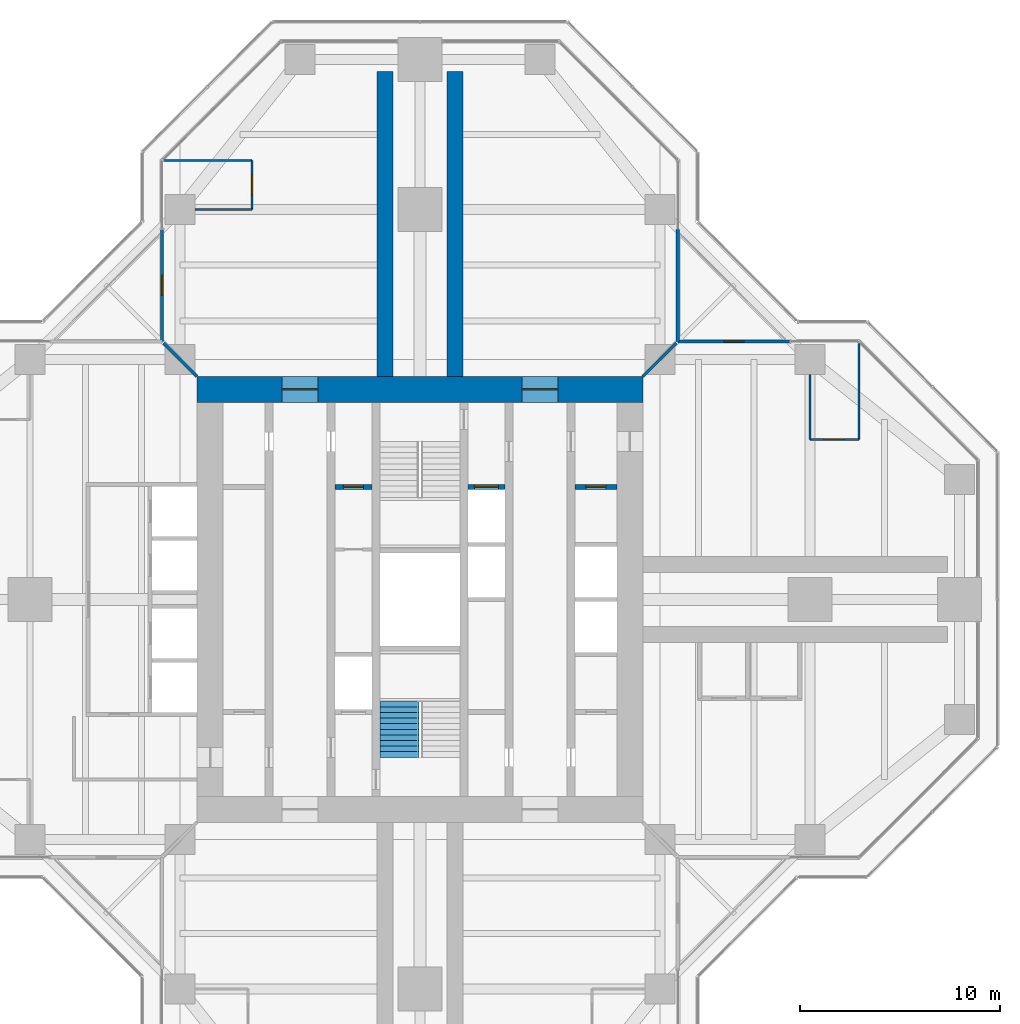
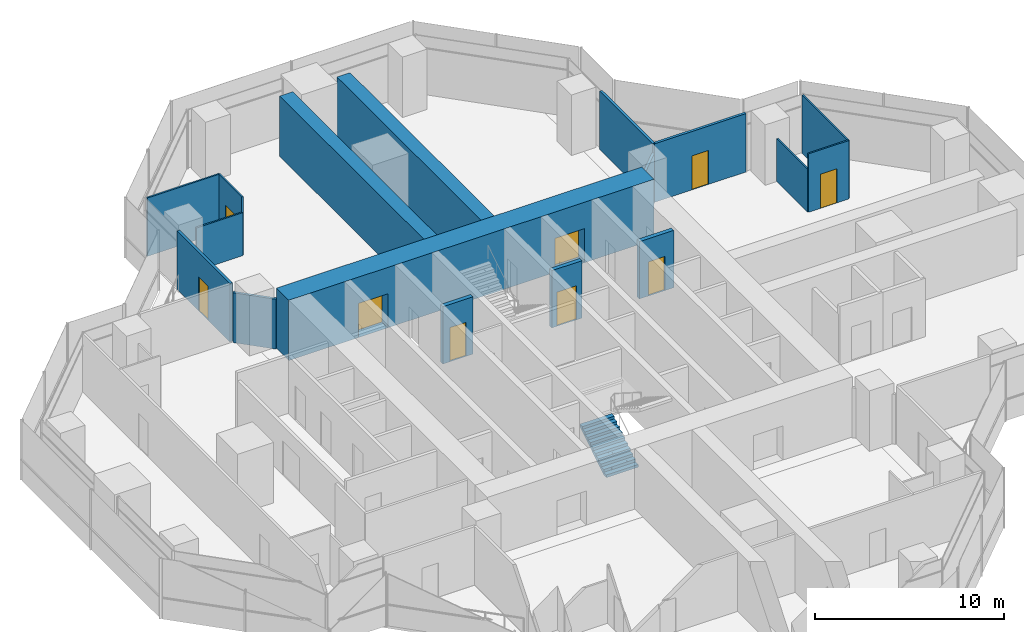
# One storey, part 15 of 17: 17 walls, 9 doors, 1 stair flight, 9 openings, 1 element without a shape of its own.
"""IFC4 building model written with IfcOpenShell, lengths in metres."""

from ifc_helpers import new_model, si_unit, direction, frame, frame_2d, origin, place, context, subcontext, project, spatial, polyline, rectangle, outline, extrude, material, layer, layer_set, type_object, element, fill, aggregate, save


model = new_model("IFC4")

# Units and contexts
model_context = context("Model", 3, precision=1e-05, world=origin(), true_north=direction((0.0, 1.0)))
body_context = subcontext(model_context, "Body", "Model", "MODEL_VIEW")
ifc_project = project(units=[si_unit("LENGTHUNIT", "METRE"), si_unit("AREAUNIT", "SQUARE_METRE"), si_unit("VOLUMEUNIT", "CUBIC_METRE"), si_unit("PLANEANGLEUNIT", "RADIAN"), si_unit("MASSUNIT", "GRAM", prefix="KILO")], contexts=[model_context])

# Site, building, storey
site_placement = place(None, origin())
site = spatial("IfcSite", under=ifc_project, at=site_placement, CompositionType="ELEMENT")
building_placement = place(site_placement, origin())
building = spatial("IfcBuilding", under=site, at=building_placement, Name="Mizan Broadcast Tower", CompositionType="ELEMENT")
storey_placement = place(building_placement, frame((0.0, 0.0, 243.89990234375)))
storey = spatial("IfcBuildingStorey", under=building, at=storey_placement, Name="L57", CompositionType="ELEMENT", Elevation=243.89990234375)

# Wall, openings, doors
ifc_material_1 = material(Name="Concrete C70/85", Category="concrete")
ifc_layer_1 = layer(ifc_material_1, 1.300048828125)
ifc_layer_set_1 = layer_set([ifc_layer_1], Name="Concrete C70/85")
wall_type_1 = type_object("IfcWallType", Name="CORE WALL 1300", PredefinedType="SHEAR", material=ifc_layer_set_1)
wall_1_placement = place(storey_placement, frame((-11.14990234375, 10.5, 0.0), z_axis=(0.0, 0.0, 1.0), x_axis=(1.0, 0.0, 0.0)))
wall_1 = element("IfcWall", 1, at=wall_1_placement, inside=storey, type_object=wall_type_1, Name="Core wall N L57", PredefinedType="SHEAR", context=body_context, shape_type="SweptSolid", body=[
    extrude(rectangle(XDim=22.2998046875, YDim=1.300048828125, at=frame_2d((11.14990234375, 0.0))), origin(), (0.0, 0.0, 1.0), 3.900146484375),
])
opening_1_placement = place(wall_1_placement, frame((4.25, 0.0, 0.0)))
opening_1 = element("IfcOpeningElement", 2, at=opening_1_placement, cuts=wall_1, Name="Opening D18F", PredefinedType="OPENING", context=body_context, shape_type="SweptSolid", body=[
    extrude(rectangle(XDim=1.800048828125, YDim=2.199951171875, at=frame_2d((0.89990234375, 1.10009765625))), frame((0.0, 0.659912109375, 0.0), z_axis=(0.0, -1.0, 0.0), x_axis=(1.0, 0.0, 0.0)), (0.0, 0.0, 1.0), 1.320068359375),
])
opening_2_placement = place(wall_1_placement, frame((16.25, 0.0, 0.0)))
opening_2 = element("IfcOpeningElement", 3, at=opening_2_placement, cuts=wall_1, Name="Opening D18F", PredefinedType="OPENING", context=body_context, shape_type="SweptSolid", body=[
    extrude(rectangle(XDim=1.800048828125, YDim=2.199951171875, at=frame_2d((0.89990234375, 1.10009765625))), frame((0.0, 0.659912109375, 0.0), z_axis=(0.0, -1.0, 0.0), x_axis=(1.0, 0.0, 0.0)), (0.0, 0.0, 1.0), 1.320068359375),
])
ifc_material_2 = material(Name="Steel door leaf in steel frame", Category="steel")
door_type_1 = type_object("IfcDoorType", Name="LOBBY DOUBLE DOOR 1800 FD90", OperationType="DOUBLE_DOOR_DOUBLE_SWING", PredefinedType="DOOR", material=ifc_material_2)
door_1_placement = place(opening_1_placement, origin())
door_1 = element("IfcDoor", 4, at=door_1_placement, inside=storey, type_object=door_type_1, Name="West lift lobby north door", OperationType="DOUBLE_DOOR_DOUBLE_SWING", OverallHeight=2.199951171875, OverallWidth=1.800048828125, PredefinedType="DOOR", context=body_context, shape_type="SweptSolid", body=[
    extrude(rectangle(XDim=1.800048828125, YDim=2.199951171875, at=frame_2d((0.89990234375, 1.10009765625))), frame((0.0, 0.02490234375, 0.0), z_axis=(0.0, -1.0, 0.0), x_axis=(1.0, 0.0, 0.0)), (0.0, 0.0, 1.0), 0.050048828125),
])
fill(opening_1, door_1)
door_2_placement = place(opening_2_placement, origin())
door_2 = element("IfcDoor", 5, at=door_2_placement, inside=storey, type_object=door_type_1, Name="East lift lobby north door", OperationType="DOUBLE_DOOR_DOUBLE_SWING", OverallHeight=2.199951171875, OverallWidth=1.800048828125, PredefinedType="DOOR", context=body_context, shape_type="SweptSolid", body=[
    extrude(rectangle(XDim=1.800048828125, YDim=2.199951171875, at=frame_2d((0.89990234375, 1.10009765625))), frame((0.0, 0.02490234375, 0.0), z_axis=(0.0, -1.0, 0.0), x_axis=(1.0, 0.0, 0.0)), (0.0, 0.0, 1.0), 0.050048828125),
])
fill(opening_2, door_2)

# Wall, opening, door
ifc_material_3 = material(Name="Aluminium framed glazed screen", Category="aluminium")
ifc_layer_2 = layer(ifc_material_3, 0.159912109375)
ifc_layer_set_2 = layer_set([ifc_layer_2], Name="Aluminium framed glazed screen")
wall_type_2 = type_object("IfcWallType", Name="GLAZED SCREEN WALL 160", PredefinedType="SOLIDWALL", material=ifc_layer_set_2)
wall_2_placement = place(storey_placement, frame((18.5, 12.89990234375, 0.0), z_axis=(0.0, 0.0, 1.0), x_axis=(-1.0, 0.0, 0.0)))
wall_2 = element("IfcWall", 6, at=wall_2_placement, inside=storey, type_object=wall_type_2, Name="Winter garden screen L57 E", PredefinedType="SOLIDWALL", context=body_context, shape_type="SweptSolid", body=[
    extrude(rectangle(XDim=5.60009765625, YDim=0.159912109375, at=frame_2d((2.800048828125, 0.0))), origin(), (0.0, 0.0, 1.0), 3.77001953125),
])
opening_3_placement = place(wall_2_placement, frame((2.300048828125, 0.0, 0.0)))
opening_3 = element("IfcOpeningElement", 7, at=opening_3_placement, cuts=wall_2, Name="Opening WGD", PredefinedType="OPENING", context=body_context, shape_type="SweptSolid", body=[
    extrude(rectangle(XDim=1.0, YDim=2.199951171875, at=frame_2d((0.5, 1.10009765625))), frame((0.0, 0.08984375, 0.0), z_axis=(0.0, -1.0, 0.0), x_axis=(1.0, 0.0, 0.0)), (0.0, 0.0, 1.0), 0.179931640625),
])
ifc_material_4 = material(Name="Aluminium framed glazed door", Category="aluminium")
door_type_2 = type_object("IfcDoorType", Name="WINTER GARDEN DOOR 1000 GLAZED", OperationType="SINGLE_SWING_LEFT", PredefinedType="DOOR", material=ifc_material_4)
door_3_placement = place(opening_3_placement, origin())
door_3 = element("IfcDoor", 8, at=door_3_placement, inside=storey, type_object=door_type_2, Name="Winter garden door L57 E", OperationType="SINGLE_SWING_RIGHT", OverallHeight=2.199951171875, OverallWidth=1.0, PredefinedType="DOOR", context=body_context, shape_type="SweptSolid", body=[
    extrude(rectangle(XDim=1.0, YDim=2.199951171875, at=frame_2d((0.5, 1.10009765625))), frame((0.0, 0.02490234375, 0.0), z_axis=(0.0, -1.0, 0.0), x_axis=(1.0, 0.0, 0.0)), (0.0, 0.0, 1.0), 0.050048828125),
])
fill(opening_3, door_3)

# Wall
wall_3_placement = place(storey_placement, frame((12.89990234375, 12.89990234375, 0.0), z_axis=(0.0, 0.0, 1.0), x_axis=(0.0, 1.0, 0.0)))
element("IfcWall", 9, at=wall_3_placement, inside=storey, type_object=wall_type_2, Name="Winter garden screen L57 N", PredefinedType="SOLIDWALL", context=body_context, shape_type="SweptSolid", body=[
    extrude(rectangle(XDim=5.60009765625, YDim=0.159912109375, at=frame_2d((2.800048828125, 0.0))), origin(), (0.0, 0.0, 1.0), 3.77001953125),
])

# Wall, opening, door
wall_4_placement = place(storey_placement, frame((-12.89990234375, 18.5, 0.0), z_axis=(0.0, 0.0, 1.0), x_axis=(0.0, -1.0, 0.0)))
wall_4 = element("IfcWall", 10, at=wall_4_placement, inside=storey, type_object=wall_type_2, Name="Winter garden screen L57 N", PredefinedType="SOLIDWALL", context=body_context, shape_type="SweptSolid", body=[
    extrude(rectangle(XDim=5.60009765625, YDim=0.159912109375, at=frame_2d((2.800048828125, 0.0))), origin(), (0.0, 0.0, 1.0), 3.77001953125),
])
opening_4_placement = place(wall_4_placement, frame((2.300048828125, 0.0, 0.0)))
opening_4 = element("IfcOpeningElement", 11, at=opening_4_placement, cuts=wall_4, Name="Opening WGD", PredefinedType="OPENING", context=body_context, shape_type="SweptSolid", body=[
    extrude(rectangle(XDim=1.0, YDim=2.199951171875, at=frame_2d((0.5, 1.10009765625))), frame((0.0, 0.08984375, 0.0), z_axis=(0.0, -1.0, 0.0), x_axis=(1.0, 0.0, 0.0)), (0.0, 0.0, 1.0), 0.179931640625),
])
door_4_placement = place(opening_4_placement, origin())
door_4 = element("IfcDoor", 12, at=door_4_placement, inside=storey, type_object=door_type_2, Name="Winter garden door L57 N", OperationType="SINGLE_SWING_RIGHT", OverallHeight=2.199951171875, OverallWidth=1.0, PredefinedType="DOOR", context=body_context, shape_type="SweptSolid", body=[
    extrude(rectangle(XDim=1.0, YDim=2.199951171875, at=frame_2d((0.5, 1.10009765625))), frame((0.0, 0.02490234375, 0.0), z_axis=(0.0, -1.0, 0.0), x_axis=(1.0, 0.0, 0.0)), (0.0, 0.0, 1.0), 0.050048828125),
])
fill(opening_4, door_4)

ifc_material_5 = material(Name="Concrete blockwork", Category="masonry")
ifc_layer_3 = layer(ifc_material_5, 0.25)
ifc_layer_set_3 = layer_set([ifc_layer_3], Name="Concrete blockwork")
wall_type_3 = type_object("IfcWallType", Name="LOBBY ENCLOSURE WALL 250", PredefinedType="SOLIDWALL", material=ifc_layer_set_3)
wall_5_placement = place(storey_placement, frame((-4.25, 5.625, 0.0), z_axis=(0.0, 0.0, 1.0), x_axis=(1.0, 0.0, 0.0)))
wall_5 = element("IfcWall", 13, at=wall_5_placement, inside=storey, type_object=wall_type_3, Name="Lobby enclosure wall CORE/BW2N", PredefinedType="SOLIDWALL", context=body_context, shape_type="SweptSolid", body=[
    extrude(rectangle(XDim=1.85009765625, YDim=0.25, at=frame_2d((0.925048828125, 0.0))), origin(), (0.0, 0.0, 1.0), 3.7001953125),
])
opening_5_placement = place(wall_5_placement, frame((0.425048828125, 0.0, 0.0)))
opening_5 = element("IfcOpeningElement", 14, at=opening_5_placement, cuts=wall_5, Name="Opening D10F", PredefinedType="OPENING", context=body_context, shape_type="SweptSolid", body=[
    extrude(rectangle(XDim=1.0, YDim=2.199951171875, at=frame_2d((0.5, 1.10009765625))), frame((0.0, 0.135009765625, 0.0), z_axis=(0.0, -1.0, 0.0), x_axis=(1.0, 0.0, 0.0)), (0.0, 0.0, 1.0), 0.27001953125),
])
ifc_material_6 = material(Name="Steel door leaf in steel frame", Category="steel")
door_type_3 = type_object("IfcDoorType", Name="FIRE DOOR 1000 FD90", OperationType="SINGLE_SWING_LEFT", PredefinedType="DOOR", material=ifc_material_6)
door_5_placement = place(opening_5_placement, origin())
door_5 = element("IfcDoor", 15, at=door_5_placement, inside=storey, type_object=door_type_3, Name="Accessible changing room door", OperationType="SINGLE_SWING_RIGHT", OverallHeight=2.199951171875, OverallWidth=1.0, PredefinedType="DOOR", context=body_context, shape_type="SweptSolid", body=[
    extrude(rectangle(XDim=1.0, YDim=2.199951171875, at=frame_2d((0.5, 1.10009765625))), frame((0.0, 0.02490234375, 0.0), z_axis=(0.0, -1.0, 0.0), x_axis=(1.0, 0.0, 0.0)), (0.0, 0.0, 1.0), 0.050048828125),
])
fill(opening_5, door_5)

wall_6_placement = place(storey_placement, frame((2.39990234375, 5.625, 0.0), z_axis=(0.0, 0.0, 1.0), x_axis=(1.0, 0.0, 0.0)))
wall_6 = element("IfcWall", 16, at=wall_6_placement, inside=storey, type_object=wall_type_3, Name="Lobby enclosure wall CORE/BE2N", PredefinedType="SOLIDWALL", context=body_context, shape_type="SweptSolid", body=[
    extrude(rectangle(XDim=1.85009765625, YDim=0.25, at=frame_2d((0.925048828125, 0.0))), origin(), (0.0, 0.0, 1.0), 3.7001953125),
])
opening_6_placement = place(wall_6_placement, frame((0.324951171875, 0.0, 0.0)))
opening_6 = element("IfcOpeningElement", 17, at=opening_6_placement, cuts=wall_6, Name="Opening LDF", PredefinedType="OPENING", context=body_context, shape_type="SweptSolid", body=[
    extrude(rectangle(XDim=1.199951171875, YDim=2.199951171875, at=frame_2d((0.60009765625, 1.10009765625))), frame((0.0, 0.135009765625, 0.0), z_axis=(0.0, -1.0, 0.0), x_axis=(1.0, 0.0, 0.0)), (0.0, 0.0, 1.0), 0.27001953125),
])
ifc_material_7 = material(Name="Steel door leaf in steel frame", Category="steel")
door_type_4 = type_object("IfcDoorType", Name="FIREFIGHTING LIFT LANDING DOOR 1200", OperationType="SLIDING_TO_LEFT", PredefinedType="DOOR", material=ifc_material_7)
door_6_placement = place(opening_6_placement, origin())
door_6 = element("IfcDoor", 18, at=door_6_placement, inside=storey, type_object=door_type_4, Name="Landing door FF2", OperationType="SLIDING_TO_LEFT", OverallHeight=2.199951171875, OverallWidth=1.199951171875, PredefinedType="DOOR", context=body_context, shape_type="SweptSolid", body=[
    extrude(rectangle(XDim=1.199951171875, YDim=2.199951171875, at=frame_2d((0.60009765625, 1.10009765625))), frame((0.0, 0.02490234375, 0.0), z_axis=(0.0, -1.0, 0.0), x_axis=(1.0, 0.0, 0.0)), (0.0, 0.0, 1.0), 0.050048828125),
])
fill(opening_6, door_6)

wall_7_placement = place(storey_placement, frame((7.75, 5.625, 0.0), z_axis=(0.0, 0.0, 1.0), x_axis=(1.0, 0.0, 0.0)))
wall_7 = element("IfcWall", 19, at=wall_7_placement, inside=storey, type_object=wall_type_3, Name="Lobby enclosure wall CORE/BE1N", PredefinedType="SOLIDWALL", context=body_context, shape_type="SweptSolid", body=[
    extrude(rectangle(XDim=2.10009765625, YDim=0.25, at=frame_2d((1.050048828125, 0.0))), origin(), (0.0, 0.0, 1.0), 3.7001953125),
])
opening_7_placement = place(wall_7_placement, frame((0.550048828125, 0.0, 0.0)))
opening_7 = element("IfcOpeningElement", 20, at=opening_7_placement, cuts=wall_7, Name="Opening D10F", PredefinedType="OPENING", context=body_context, shape_type="SweptSolid", body=[
    extrude(rectangle(XDim=1.0, YDim=2.199951171875, at=frame_2d((0.5, 1.10009765625))), frame((0.0, 0.135009765625, 0.0), z_axis=(0.0, -1.0, 0.0), x_axis=(1.0, 0.0, 0.0)), (0.0, 0.0, 1.0), 0.27001953125),
])
door_7_placement = place(opening_7_placement, origin())
door_7 = element("IfcDoor", 21, at=door_7_placement, inside=storey, type_object=door_type_3, Name="Comms room door", OperationType="SINGLE_SWING_LEFT", OverallHeight=2.199951171875, OverallWidth=1.0, PredefinedType="DOOR", context=body_context, shape_type="SweptSolid", body=[
    extrude(rectangle(XDim=1.0, YDim=2.199951171875, at=frame_2d((0.5, 1.10009765625))), frame((0.0, 0.02490234375, 0.0), z_axis=(0.0, -1.0, 0.0), x_axis=(1.0, 0.0, 0.0)), (0.0, 0.0, 1.0), 0.050048828125),
])
fill(opening_7, door_7)

# Walls
ifc_material_8 = material(Name="Gypsum board on steel studs", Category="steel")
ifc_layer_4 = layer(ifc_material_8, 0.14990234375)
ifc_layer_set_4 = layer_set([ifc_layer_4], Name="Gypsum board on steel studs")
wall_type_4 = type_object("IfcWallType", Name="PARTITION 150", PredefinedType="PARTITIONING", material=ifc_layer_set_4)
for number, where, z_axis, x_axis, name in (
    (22, (11.14990234375, 11.14990234375, 0.0), (0.0, 0.0, 1.0), (0.707106781187, 0.707106781187, 0.0), "Partition PT/DGEN"),
    (23, (-11.14990234375, 11.14990234375, 0.0), (0.0, 0.0, 1.0), (-0.707106781187, 0.707106781187, 0.0), "Partition PT/DGWN"),
):
    element("IfcWall", number, at=place(storey_placement, frame(where, z_axis=z_axis, x_axis=x_axis)), inside=storey, type_object=wall_type_4, Name=name, PredefinedType="PARTITIONING", context=body_context, shape_type="SweptSolid", body=[
        extrude(rectangle(XDim=2.362060546875, YDim=0.14990234375, at=frame_2d((1.18115234375, 0.0))), origin(), (0.0, 0.0, 1.0), 3.22021484375),
    ])

# Wall, opening, door
ifc_material_9 = material(Name="Glazed aluminium partition on aluminium track", Category="aluminium")
ifc_layer_5 = layer(ifc_material_9, 0.10009765625)
ifc_layer_set_5 = layer_set([ifc_layer_5], Name="Glazed aluminium partition on aluminium track")
wall_type_5 = type_object("IfcWallType", Name="PARTITION GLAZED OFFICE FRONT 100", PredefinedType="PARTITIONING", material=ifc_layer_set_5)
wall_8_placement = place(storey_placement, frame((19.5, 8.0, 0.0), z_axis=(0.0, 0.0, 1.0), x_axis=(1.0, 0.0, 0.0)))
wall_8 = element("IfcWall", 24, at=wall_8_placement, inside=storey, type_object=wall_type_5, Name="Glazed office front PT/ECP0", PredefinedType="PARTITIONING", context=body_context, shape_type="SweptSolid", body=[
    extrude(rectangle(XDim=2.458984375, YDim=0.10009765625, at=frame_2d((1.2294921875, 0.0))), origin(), (0.0, 0.0, 1.0), 3.77001953125),
])
opening_8_placement = place(wall_8_placement, frame((0.7294921875, 0.0, 0.0)))
opening_8 = element("IfcOpeningElement", 25, at=opening_8_placement, cuts=wall_8, Name="Opening D10O", PredefinedType="OPENING", context=body_context, shape_type="SweptSolid", body=[
    extrude(rectangle(XDim=1.0, YDim=2.199951171875, at=frame_2d((0.5, 1.10009765625))), frame((0.0, 0.06005859375, 0.0), z_axis=(0.0, -1.0, 0.0), x_axis=(1.0, 0.0, 0.0)), (0.0, 0.0, 1.0), 0.1201171875),
])
ifc_material_10 = material(Name="Timber door leaf in aluminium frame", Category="wood")
door_type_5 = type_object("IfcDoorType", Name="OFFICE DOOR 1000 GLAZED", OperationType="SINGLE_SWING_LEFT", PredefinedType="DOOR", material=ifc_material_10)
door_8_placement = place(opening_8_placement, origin())
door_8 = element("IfcDoor", 26, at=door_8_placement, inside=storey, type_object=door_type_5, Name="Correspondent's office door", OperationType="SINGLE_SWING_LEFT", OverallHeight=2.199951171875, OverallWidth=1.0, PredefinedType="DOOR", context=body_context, shape_type="SweptSolid", body=[
    extrude(rectangle(XDim=1.0, YDim=2.199951171875, at=frame_2d((0.5, 1.10009765625))), frame((0.0, 0.02490234375, 0.0), z_axis=(0.0, -1.0, 0.0), x_axis=(1.0, 0.0, 0.0)), (0.0, 0.0, 1.0), 0.050048828125),
])
fill(opening_8, door_8)

# Walls
wall_9_placement = place(storey_placement, frame((19.5, 8.0, 0.0), z_axis=(0.0, 0.0, 1.0), x_axis=(0.0, 1.0, 0.0)))
element("IfcWall", 27, at=wall_9_placement, inside=storey, type_object=wall_type_5, Name="Glazed office front PT/EQP1950", PredefinedType="PARTITIONING", context=body_context, shape_type="SweptSolid", body=[
    extrude(rectangle(XDim=3.25, YDim=0.10009765625, at=frame_2d((1.625, 0.0))), origin(), (0.0, 0.0, 1.0), 2.77001953125),
])
wall_10_placement = place(storey_placement, frame((21.958984375, 8.0, 0.0), z_axis=(0.0, 0.0, 1.0), x_axis=(0.0, 1.0, 0.0)))
element("IfcWall", 28, at=wall_10_placement, inside=storey, type_object=wall_type_5, Name="Glazed office front PT/EQP2196", PredefinedType="PARTITIONING", context=body_context, shape_type="SweptSolid", body=[
    extrude(rectangle(XDim=4.820068359375, YDim=0.10009765625, at=frame_2d((2.41015625, 0.0))), origin(), (0.0, 0.0, 1.0), 3.77001953125),
])

# Wall, opening, door
wall_11_placement = place(storey_placement, frame((-8.39990234375, 19.5, 0.0), z_axis=(0.0, 0.0, 1.0), x_axis=(0.0, 1.0, 0.0)))
wall_11 = element("IfcWall", 29, at=wall_11_placement, inside=storey, type_object=wall_type_5, Name="Glazed office front PT/NCP0", PredefinedType="PARTITIONING", context=body_context, shape_type="SweptSolid", body=[
    extrude(rectangle(XDim=2.458984375, YDim=0.10009765625, at=frame_2d((1.2294921875, 0.0))), origin(), (0.0, 0.0, 1.0), 3.77001953125),
])
opening_9_placement = place(wall_11_placement, frame((0.7294921875, 0.0, 0.0)))
opening_9 = element("IfcOpeningElement", 30, at=opening_9_placement, cuts=wall_11, Name="Opening D10O", PredefinedType="OPENING", context=body_context, shape_type="SweptSolid", body=[
    extrude(rectangle(XDim=1.0, YDim=2.199951171875, at=frame_2d((0.5, 1.10009765625))), frame((0.0, 0.06005859375, 0.0), z_axis=(0.0, -1.0, 0.0), x_axis=(1.0, 0.0, 0.0)), (0.0, 0.0, 1.0), 0.1201171875),
])
door_9_placement = place(opening_9_placement, origin())
door_9 = element("IfcDoor", 31, at=door_9_placement, inside=storey, type_object=door_type_5, Name="Bureau chief's office door", OperationType="SINGLE_SWING_LEFT", OverallHeight=2.199951171875, OverallWidth=1.0, PredefinedType="DOOR", context=body_context, shape_type="SweptSolid", body=[
    extrude(rectangle(XDim=1.0, YDim=2.199951171875, at=frame_2d((0.5, 1.10009765625))), frame((0.0, 0.02490234375, 0.0), z_axis=(0.0, -1.0, 0.0), x_axis=(1.0, 0.0, 0.0)), (0.0, 0.0, 1.0), 0.050048828125),
])
fill(opening_9, door_9)

# Walls
wall_12_placement = place(storey_placement, frame((-8.39990234375, 19.5, 0.0), z_axis=(0.0, 0.0, 1.0), x_axis=(-1.0, 0.0, 0.0)))
element("IfcWall", 32, at=wall_12_placement, inside=storey, type_object=wall_type_5, Name="Glazed office front PT/NQP1950", PredefinedType="PARTITIONING", context=body_context, shape_type="SweptSolid", body=[
    extrude(rectangle(XDim=2.85009765625, YDim=0.10009765625, at=frame_2d((1.425048828125, 0.0))), origin(), (0.0, 0.0, 1.0), 2.77001953125),
])
wall_13_placement = place(storey_placement, frame((-8.39990234375, 21.958984375, 0.0), z_axis=(0.0, 0.0, 1.0), x_axis=(-1.0, 0.0, 0.0)))
element("IfcWall", 33, at=wall_13_placement, inside=storey, type_object=wall_type_5, Name="Glazed office front PT/NQP2196", PredefinedType="PARTITIONING", context=body_context, shape_type="SweptSolid", body=[
    extrude(rectangle(XDim=4.420166015625, YDim=0.10009765625, at=frame_2d((2.2099609375, 0.0))), origin(), (0.0, 0.0, 1.0), 3.77001953125),
])
ifc_material_11 = material(Name="Concrete C70/85", Category="concrete")
ifc_layer_6 = layer(ifc_material_11, 0.800048828125)
ifc_layer_set_6 = layer_set([ifc_layer_6], Name="Concrete C70/85")
wall_type_6 = type_object("IfcWallType", Name="SPINE WALL 800", PredefinedType="SHEAR", material=ifc_layer_set_6)
for number, where, z_axis, x_axis, name in (
    (34, (1.75, 11.14990234375, 0.0), (0.0, 0.0, 1.0), (0.0, 1.0, 0.0), "Spine wall NR L57"),
    (35, (-1.75, 11.14990234375, 0.0), (0.0, 0.0, 1.0), (0.0, 1.0, 0.0), "Spine wall NL L57"),
):
    element("IfcWall", number, at=place(storey_placement, frame(where, z_axis=z_axis, x_axis=x_axis)), inside=storey, type_object=wall_type_6, Name=name, PredefinedType="SHEAR", context=body_context, shape_type="SweptSolid", body=[
        extrude(rectangle(XDim=15.25, YDim=0.800048828125, at=frame_2d((7.625, 0.0))), origin(), (0.0, 0.0, 1.0), 3.900146484375),
    ])

# Stair, stair flight
ifc_material_12 = material(Name="Concrete C40/50", Category="concrete")
stair_type = type_object("IfcStairType", Name="EXIT STAIR", PredefinedType="HALF_TURN_STAIR", material=ifc_material_12)
stair_placement = place(storey_placement, origin())
stair = element("IfcStair", 36, at=stair_placement, inside=storey, type_object=stair_type, Name="Stair A L57", PredefinedType="HALF_TURN_STAIR")
ifc_material_13 = material(Name="Concrete C40/50", Category="concrete")
stair_flight_type = type_object("IfcStairFlightType", Name="EXIT STAIR FLIGHT", PredefinedType="STRAIGHT", material=ifc_material_13)
stair_flight_placement = place(storey_placement, frame((-1.02490234375, -7.89990234375, 0.0), z_axis=(0.0, 0.0, 1.0), x_axis=(0.0, 1.0, 0.0)))
stair_flight = element("IfcStairFlight", 37, at=stair_flight_placement, type_object=stair_flight_type, Name="A flight 1", NumberOfRisers=11, NumberOfTreads=10, PredefinedType="STRAIGHT", RiserHeight=0.177272727, TreadLength=0.28, context=body_context, shape_type="SweptSolid", body=[
    extrude(outline(polyline([(0.0, 0.0), (0.0, 0.17724609375), (0.280029296875, 0.17724609375), (0.280029296875, 0.3544921875), (0.56005859375, 0.3544921875), (0.56005859375, 0.53173828125), (0.840087890625, 0.53173828125), (0.840087890625, 0.708984375), (1.1201171875, 0.708984375), (1.1201171875, 0.886474609375), (1.39990234375, 0.886474609375), (1.39990234375, 1.063720703125), (1.679931640625, 1.063720703125), (1.679931640625, 1.240966796875), (1.9599609375, 1.240966796875), (1.9599609375, 1.418212890625), (2.239990234375, 1.418212890625), (2.239990234375, 1.595458984375), (2.52001953125, 1.595458984375), (2.52001953125, 1.772705078125), (2.800048828125, 1.772705078125), (2.800048828125, 1.949951171875), (2.800048828125, 1.59521484375), (0.2802734375, 0.0), (0.0, 0.0)])), frame((0.0, 0.97509765625, 0.0), z_axis=(0.0, -1.0, 0.0), x_axis=(1.0, 0.0, 0.0)), (0.0, 0.0, 1.0), 0.4873046875),
    extrude(outline(polyline([(0.0, 0.0), (0.0, 0.17724609375), (0.280029296875, 0.17724609375), (0.280029296875, 0.3544921875), (0.56005859375, 0.3544921875), (0.56005859375, 0.53173828125), (0.840087890625, 0.53173828125), (0.840087890625, 0.708984375), (1.1201171875, 0.708984375), (1.1201171875, 0.886474609375), (1.39990234375, 0.886474609375), (1.39990234375, 1.063720703125), (1.679931640625, 1.063720703125), (1.679931640625, 1.240966796875), (1.9599609375, 1.240966796875), (1.9599609375, 1.418212890625), (2.239990234375, 1.418212890625), (2.239990234375, 1.595458984375), (2.52001953125, 1.595458984375), (2.52001953125, 1.772705078125), (2.800048828125, 1.772705078125), (2.800048828125, 1.949951171875), (2.800048828125, 1.59521484375), (0.2802734375, 0.0), (0.0, 0.0)])), frame((0.0, 0.4873046875, 0.0), z_axis=(0.0, -1.0, 0.0), x_axis=(1.0, 0.0, 0.0)), (0.0, 0.0, 1.0), 0.2431640625),
    extrude(outline(polyline([(0.0, 0.0), (0.0, 0.17724609375), (0.280029296875, 0.17724609375), (0.280029296875, 0.3544921875), (0.56005859375, 0.3544921875), (0.56005859375, 0.53173828125), (0.840087890625, 0.53173828125), (0.840087890625, 0.708984375), (1.1201171875, 0.708984375), (1.1201171875, 0.886474609375), (1.39990234375, 0.886474609375), (1.39990234375, 1.063720703125), (1.679931640625, 1.063720703125), (1.679931640625, 1.240966796875), (1.9599609375, 1.240966796875), (1.9599609375, 1.418212890625), (2.239990234375, 1.418212890625), (2.239990234375, 1.595458984375), (2.52001953125, 1.595458984375), (2.52001953125, 1.772705078125), (2.800048828125, 1.772705078125), (2.800048828125, 1.949951171875), (2.800048828125, 1.59521484375), (0.2802734375, 0.0), (0.0, 0.0)])), frame((0.0, 0.24365234375, 0.0), z_axis=(0.0, -1.0, 0.0), x_axis=(1.0, 0.0, 0.0)), (0.0, 0.0, 1.0), 0.121337890625),
    extrude(outline(polyline([(0.0, 0.0), (0.0, 0.17724609375), (0.280029296875, 0.17724609375), (0.280029296875, 0.3544921875), (0.56005859375, 0.3544921875), (0.56005859375, 0.53173828125), (0.840087890625, 0.53173828125), (0.840087890625, 0.708984375), (1.1201171875, 0.708984375), (1.1201171875, 0.886474609375), (1.39990234375, 0.886474609375), (1.39990234375, 1.063720703125), (1.679931640625, 1.063720703125), (1.679931640625, 1.240966796875), (1.9599609375, 1.240966796875), (1.9599609375, 1.418212890625), (2.239990234375, 1.418212890625), (2.239990234375, 1.595458984375), (2.52001953125, 1.595458984375), (2.52001953125, 1.772705078125), (2.800048828125, 1.772705078125), (2.800048828125, 1.949951171875), (2.800048828125, 1.59521484375), (0.2802734375, 0.0), (0.0, 0.0)])), frame((0.0, 0.121826171875, 0.0), z_axis=(0.0, -1.0, 0.0), x_axis=(1.0, 0.0, 0.0)), (0.0, 0.0, 1.0), 0.060546875),
    extrude(outline(polyline([(0.0, 0.0), (0.0, 0.17724609375), (0.280029296875, 0.17724609375), (0.280029296875, 0.3544921875), (0.56005859375, 0.3544921875), (0.56005859375, 0.53173828125), (0.840087890625, 0.53173828125), (0.840087890625, 0.708984375), (1.1201171875, 0.708984375), (1.1201171875, 0.886474609375), (1.39990234375, 0.886474609375), (1.39990234375, 1.063720703125), (1.679931640625, 1.063720703125), (1.679931640625, 1.240966796875), (1.9599609375, 1.240966796875), (1.9599609375, 1.418212890625), (2.239990234375, 1.418212890625), (2.239990234375, 1.595458984375), (2.52001953125, 1.595458984375), (2.52001953125, 1.772705078125), (2.800048828125, 1.772705078125), (2.800048828125, 1.949951171875), (2.800048828125, 1.59521484375), (0.2802734375, 0.0), (0.0, 0.0)])), frame((0.0, 0.060791015625, 0.0), z_axis=(0.0, -1.0, 0.0), x_axis=(1.0, 0.0, 0.0)), (0.0, 0.0, 1.0), 0.030029296875),
    extrude(outline(polyline([(0.0, 0.0), (0.0, 0.17724609375), (0.280029296875, 0.17724609375), (0.280029296875, 0.3544921875), (0.56005859375, 0.3544921875), (0.56005859375, 0.53173828125), (0.840087890625, 0.53173828125), (0.840087890625, 0.708984375), (1.1201171875, 0.708984375), (1.1201171875, 0.886474609375), (1.39990234375, 0.886474609375), (1.39990234375, 1.063720703125), (1.679931640625, 1.063720703125), (1.679931640625, 1.240966796875), (1.9599609375, 1.240966796875), (1.9599609375, 1.418212890625), (2.239990234375, 1.418212890625), (2.239990234375, 1.595458984375), (2.52001953125, 1.595458984375), (2.52001953125, 1.772705078125), (2.800048828125, 1.772705078125), (2.800048828125, 1.949951171875), (2.800048828125, 1.59521484375), (0.2802734375, 0.0), (0.0, 0.0)])), frame((0.0, 0.0302734375, 0.0), z_axis=(0.0, -1.0, 0.0), x_axis=(1.0, 0.0, 0.0)), (0.0, 0.0, 1.0), 0.060302734375),
    extrude(outline(polyline([(0.0, 0.0), (0.0, 0.17724609375), (0.280029296875, 0.17724609375), (0.280029296875, 0.3544921875), (0.56005859375, 0.3544921875), (0.56005859375, 0.53173828125), (0.840087890625, 0.53173828125), (0.840087890625, 0.708984375), (1.1201171875, 0.708984375), (1.1201171875, 0.886474609375), (1.39990234375, 0.886474609375), (1.39990234375, 1.063720703125), (1.679931640625, 1.063720703125), (1.679931640625, 1.240966796875), (1.9599609375, 1.240966796875), (1.9599609375, 1.418212890625), (2.239990234375, 1.418212890625), (2.239990234375, 1.595458984375), (2.52001953125, 1.595458984375), (2.52001953125, 1.772705078125), (2.800048828125, 1.772705078125), (2.800048828125, 1.949951171875), (2.800048828125, 1.59521484375), (0.2802734375, 0.0), (0.0, 0.0)])), frame((0.0, -0.030517578125, 0.0), z_axis=(0.0, -1.0, 0.0), x_axis=(1.0, 0.0, 0.0)), (0.0, 0.0, 1.0), 0.030029296875),
    extrude(outline(polyline([(0.0, 0.0), (0.0, 0.17724609375), (0.280029296875, 0.17724609375), (0.280029296875, 0.3544921875), (0.56005859375, 0.3544921875), (0.56005859375, 0.53173828125), (0.840087890625, 0.53173828125), (0.840087890625, 0.708984375), (1.1201171875, 0.708984375), (1.1201171875, 0.886474609375), (1.39990234375, 0.886474609375), (1.39990234375, 1.063720703125), (1.679931640625, 1.063720703125), (1.679931640625, 1.240966796875), (1.9599609375, 1.240966796875), (1.9599609375, 1.418212890625), (2.239990234375, 1.418212890625), (2.239990234375, 1.595458984375), (2.52001953125, 1.595458984375), (2.52001953125, 1.772705078125), (2.800048828125, 1.772705078125), (2.800048828125, 1.949951171875), (2.800048828125, 1.59521484375), (0.2802734375, 0.0), (0.0, 0.0)])), frame((0.0, -0.06103515625, 0.0), z_axis=(0.0, -1.0, 0.0), x_axis=(1.0, 0.0, 0.0)), (0.0, 0.0, 1.0), 0.060546875),
    extrude(outline(polyline([(0.0, 0.0), (0.0, 0.17724609375), (0.280029296875, 0.17724609375), (0.280029296875, 0.3544921875), (0.56005859375, 0.3544921875), (0.56005859375, 0.53173828125), (0.840087890625, 0.53173828125), (0.840087890625, 0.708984375), (1.1201171875, 0.708984375), (1.1201171875, 0.886474609375), (1.39990234375, 0.886474609375), (1.39990234375, 1.063720703125), (1.679931640625, 1.063720703125), (1.679931640625, 1.240966796875), (1.9599609375, 1.240966796875), (1.9599609375, 1.418212890625), (2.239990234375, 1.418212890625), (2.239990234375, 1.595458984375), (2.52001953125, 1.595458984375), (2.52001953125, 1.772705078125), (2.800048828125, 1.772705078125), (2.800048828125, 1.949951171875), (2.800048828125, 1.59521484375), (0.2802734375, 0.0), (0.0, 0.0)])), frame((0.0, -0.1220703125, 0.0), z_axis=(0.0, -1.0, 0.0), x_axis=(1.0, 0.0, 0.0)), (0.0, 0.0, 1.0), 0.121337890625),
    extrude(outline(polyline([(0.0, 0.0), (0.0, 0.17724609375), (0.280029296875, 0.17724609375), (0.280029296875, 0.3544921875), (0.56005859375, 0.3544921875), (0.56005859375, 0.53173828125), (0.840087890625, 0.53173828125), (0.840087890625, 0.708984375), (1.1201171875, 0.708984375), (1.1201171875, 0.886474609375), (1.39990234375, 0.886474609375), (1.39990234375, 1.063720703125), (1.679931640625, 1.063720703125), (1.679931640625, 1.240966796875), (1.9599609375, 1.240966796875), (1.9599609375, 1.418212890625), (2.239990234375, 1.418212890625), (2.239990234375, 1.595458984375), (2.52001953125, 1.595458984375), (2.52001953125, 1.772705078125), (2.800048828125, 1.772705078125), (2.800048828125, 1.949951171875), (2.800048828125, 1.59521484375), (0.2802734375, 0.0), (0.0, 0.0)])), frame((0.0, -0.243896484375, 0.0), z_axis=(0.0, -1.0, 0.0), x_axis=(1.0, 0.0, 0.0)), (0.0, 0.0, 1.0), 0.2431640625),
    extrude(outline(polyline([(0.0, 0.0), (0.0, 0.17724609375), (0.280029296875, 0.17724609375), (0.280029296875, 0.3544921875), (0.56005859375, 0.3544921875), (0.56005859375, 0.53173828125), (0.840087890625, 0.53173828125), (0.840087890625, 0.708984375), (1.1201171875, 0.708984375), (1.1201171875, 0.886474609375), (1.39990234375, 0.886474609375), (1.39990234375, 1.063720703125), (1.679931640625, 1.063720703125), (1.679931640625, 1.240966796875), (1.9599609375, 1.240966796875), (1.9599609375, 1.418212890625), (2.239990234375, 1.418212890625), (2.239990234375, 1.595458984375), (2.52001953125, 1.595458984375), (2.52001953125, 1.772705078125), (2.800048828125, 1.772705078125), (2.800048828125, 1.949951171875), (2.800048828125, 1.59521484375), (0.2802734375, 0.0), (0.0, 0.0)])), frame((0.0, -0.487548828125, 0.0), z_axis=(0.0, -1.0, 0.0), x_axis=(1.0, 0.0, 0.0)), (0.0, 0.0, 1.0), 0.4873046875),
])
aggregate(stair, [stair_flight])

save(model, "model.ifc")
